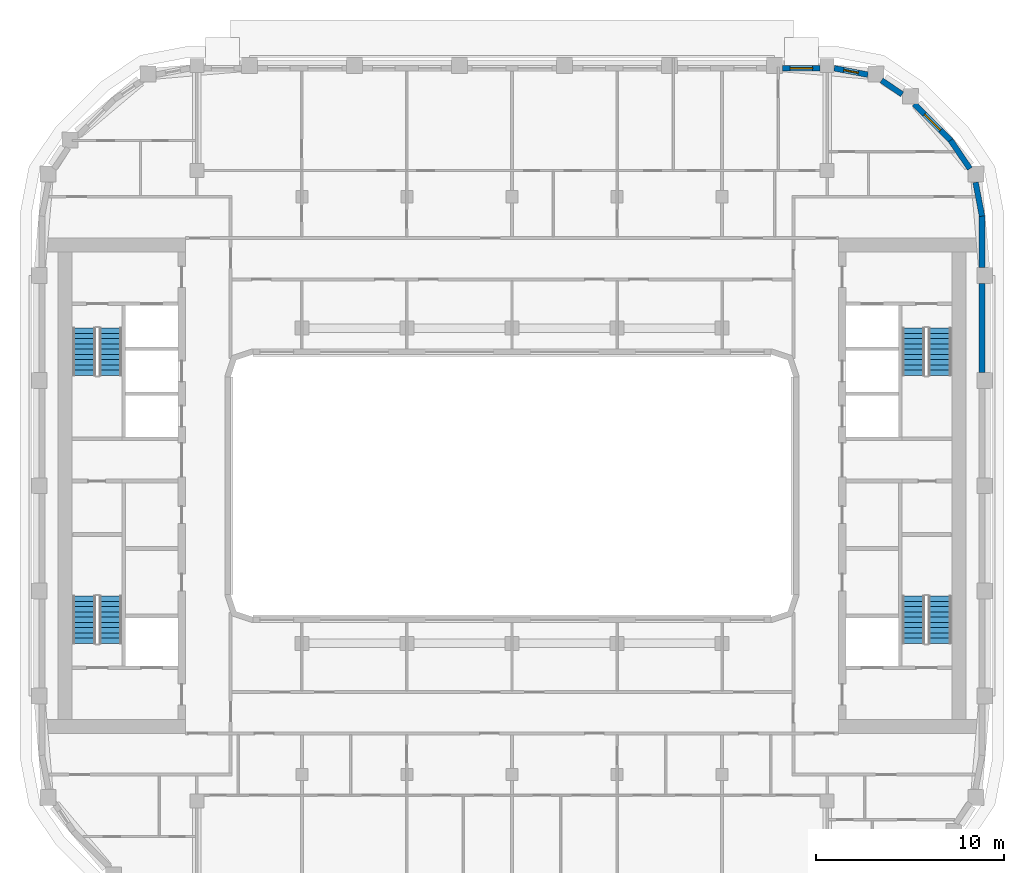
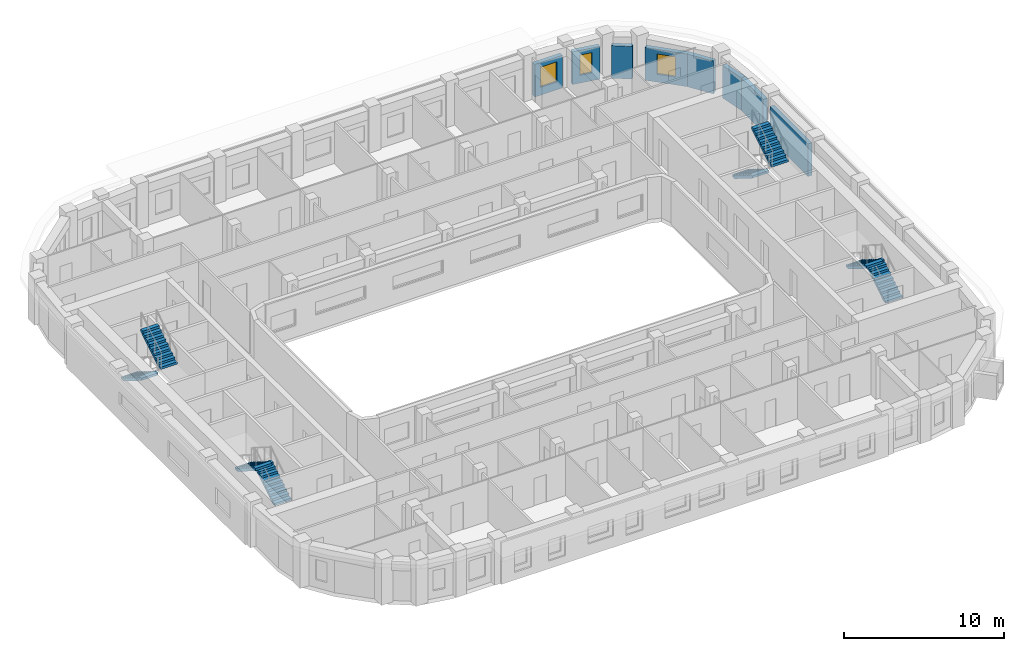
# One storey, part 9 of 21: 8 stair flights, 8 walls, 3 windows, 3 openings, 4 elements without a shape of their own.
"""IFC4 building model written with IfcOpenShell, lengths in metres."""

from ifc_helpers import new_model, si_unit, direction, frame, frame_2d, origin, place, context, subcontext, project, spatial, polyline, rectangle, outline, extrude, material, layer, layer_set, type_object, element, fill, aggregate, save


model = new_model("IFC4")

# Units and contexts
model_context = context("Model", 3, precision=1e-05, world=origin(), true_north=direction((0.0, 1.0)))
body_context = subcontext(model_context, "Body", "Model", "MODEL_VIEW")
ifc_project = project(units=[si_unit("LENGTHUNIT", "METRE"), si_unit("AREAUNIT", "SQUARE_METRE"), si_unit("VOLUMEUNIT", "CUBIC_METRE"), si_unit("PLANEANGLEUNIT", "RADIAN"), si_unit("MASSUNIT", "GRAM", prefix="KILO")], contexts=[model_context])

# Site, building, storey
site_placement = place(None, origin())
site = spatial("IfcSite", under=ifc_project, at=site_placement, CompositionType="ELEMENT")
building_placement = place(site_placement, origin())
building = spatial("IfcBuilding", under=site, at=building_placement, Name="Kiln Ring Residences", CompositionType="ELEMENT")
storey_placement = place(building_placement, frame((0.0, 0.0, 220.39990234375)))
storey = spatial("IfcBuildingStorey", under=building, at=storey_placement, Name="L57", CompositionType="ELEMENT", Elevation=220.39990234375)

# Walls
ifc_material_1 = material(Name="Brick masonry, dark clay brick", Category="masonry")
ifc_layer = layer(ifc_material_1, 0.300048828125)
ifc_layer_set = layer_set([ifc_layer], Name="EW-300 BRICK WALL")
wall_type = type_object("IfcWallType", Name="EW-300 BRICK WALL", PredefinedType="SOLIDWALL", material=ifc_layer_set)
wall_1_placement = place(storey_placement, frame((25.050048828125, 6.02490234375, 0.0), z_axis=(0.0, 0.0, 1.0), x_axis=(0.0, 1.0, 0.0)))
element("IfcWall", 1, at=wall_1_placement, inside=storey, type_object=wall_type, Name="Facade wall L57 20", PredefinedType="SOLIDWALL", context=body_context, shape_type="SweptSolid", body=[
    extrude(rectangle(XDim=4.75, YDim=0.300048828125, at=frame_2d((2.375, 0.0))), origin(), (0.0, 0.0, 1.0), 2.5),
])
wall_2_placement = place(storey_placement, frame((25.050048828125, 11.625, 0.0), z_axis=(0.0, 0.0, 1.0), x_axis=(0.0, 1.0, 0.0)))
element("IfcWall", 2, at=wall_2_placement, inside=storey, type_object=wall_type, Name="Facade wall L57 21", PredefinedType="SOLIDWALL", context=body_context, shape_type="SweptSolid", body=[
    extrude(rectangle(XDim=2.77490234375, YDim=0.300048828125, at=frame_2d((1.387451171875, 0.0))), origin(), (0.0, 0.0, 1.0), 2.5),
])
for number, where, z_axis, x_axis, name in (
    (3, (25.052734375, 14.371826171875, 0.0), (0.0, 0.0, 1.0), (-0.187442908742, 0.982275499014, 0.0), "Facade wall L57 22"),
    (4, (24.408203125, 16.898193359375, 0.0), (0.0, 0.0, 1.0), (-0.562062033417, 0.827095079535, 0.0), "Facade wall L57 23"),
):
    element("IfcWall", number, at=place(storey_placement, frame(where, z_axis=z_axis, x_axis=x_axis)), inside=storey, type_object=wall_type, Name=name, PredefinedType="SOLIDWALL", context=body_context, shape_type="SweptSolid", body=[
        extrude(rectangle(XDim=1.831298828125, YDim=0.300048828125, at=frame_2d((0.91552734375, 0.0))), origin(), (0.0, 0.0, 1.0), 2.5),
    ])

# Wall, opening, window
wall_3_placement = place(storey_placement, frame((23.39697265625, 18.390869140625, 0.0), z_axis=(0.0, 0.0, 1.0), x_axis=(-0.707106781187, 0.707106781187, 0.0)))
wall_3 = element("IfcWall", 5, at=wall_3_placement, inside=storey, type_object=wall_type, Name="Facade wall L57 24", PredefinedType="SOLIDWALL", context=body_context, shape_type="SweptSolid", body=[
    extrude(rectangle(XDim=2.775146484375, YDim=0.300048828125, at=frame_2d((1.3876953125, 0.0))), origin(), (0.0, 0.0, 1.0), 2.5),
])
opening_1_placement = place(wall_3_placement, frame((0.78759765625, 0.0, 0.60009765625)))
opening_1 = element("IfcOpeningElement", 6, at=opening_1_placement, cuts=wall_3, Name="Opening W1", PredefinedType="OPENING", context=body_context, shape_type="SweptSolid", body=[
    extrude(rectangle(XDim=1.199951171875, YDim=1.550048828125, at=frame_2d((0.60009765625, 0.77490234375))), frame((0.0, 0.159912109375, 0.0), z_axis=(0.0, -1.0, 0.0), x_axis=(1.0, 0.0, 0.0)), (0.0, 0.0, 1.0), 0.320068359375),
])
ifc_material_2 = material(Name="Aluminium frame with double glazing", Category="aluminium")
window_type_1 = type_object("IfcWindowType", Name="WINDOW 1200 x 1550", PartitioningType="SINGLE_PANEL", PredefinedType="WINDOW", material=ifc_material_2)
window_1_placement = place(opening_1_placement, origin())
window_1 = element("IfcWindow", 7, at=window_1_placement, inside=storey, type_object=window_type_1, Name="Window L57 17", OverallHeight=1.550048828125, OverallWidth=1.199951171875, PartitioningType="SINGLE_PANEL", PredefinedType="WINDOW", context=body_context, shape_type="SweptSolid", body=[
    extrude(rectangle(XDim=1.199951171875, YDim=1.550048828125, at=frame_2d((0.60009765625, 0.77490234375))), frame((0.0, 0.030029296875, 0.0), z_axis=(0.0, -1.0, 0.0), x_axis=(1.0, 0.0, 0.0)), (0.0, 0.0, 1.0), 0.06005859375),
])
fill(opening_1, window_1)

# Wall
wall_4_placement = place(storey_placement, frame((20.7958984375, 20.862060546875, 0.0), z_axis=(0.0, 0.0, 1.0), x_axis=(-0.827035970432, 0.562149004813, 0.0)))
element("IfcWall", 8, at=wall_4_placement, inside=storey, type_object=wall_type, Name="Facade wall L57 25", PredefinedType="SOLIDWALL", context=body_context, shape_type="SweptSolid", body=[
    extrude(rectangle(XDim=1.3271484375, YDim=0.300048828125, at=frame_2d((0.66357421875, 0.0))), origin(), (0.0, 0.0, 1.0), 2.5),
])

# Wall, opening, window
wall_5_placement = place(storey_placement, frame((18.970703125, 21.90966796875, 0.0), z_axis=(0.0, 0.0, 1.0), x_axis=(-0.982300037503, 0.187314271538, 0.0)))
wall_5 = element("IfcWall", 9, at=wall_5_placement, inside=storey, type_object=wall_type, Name="Facade wall L57 26", PredefinedType="SOLIDWALL", context=body_context, shape_type="SweptSolid", body=[
    extrude(rectangle(XDim=1.831298828125, YDim=0.300048828125, at=frame_2d((0.91552734375, 0.0))), origin(), (0.0, 0.0, 1.0), 2.5),
])
opening_2_placement = place(wall_5_placement, frame((0.515625, 0.0, 0.60009765625)))
opening_2 = element("IfcOpeningElement", 10, at=opening_2_placement, cuts=wall_5, Name="Opening W5", PredefinedType="OPENING", context=body_context, shape_type="SweptSolid", body=[
    extrude(rectangle(XDim=0.800048828125, YDim=1.550048828125, at=frame_2d((0.39990234375, 0.77490234375))), frame((0.0, 0.159912109375, 0.0), z_axis=(0.0, -1.0, 0.0), x_axis=(1.0, 0.0, 0.0)), (0.0, 0.0, 1.0), 0.320068359375),
])
ifc_material_3 = material(Name="Aluminium frame with double glazing", Category="aluminium")
window_type_2 = type_object("IfcWindowType", Name="WINDOW 800 x 1550", PartitioningType="SINGLE_PANEL", PredefinedType="WINDOW", material=ifc_material_3)
window_2_placement = place(opening_2_placement, origin())
window_2 = element("IfcWindow", 11, at=window_2_placement, inside=storey, type_object=window_type_2, Name="Window L57 18", OverallHeight=1.550048828125, OverallWidth=0.800048828125, PartitioningType="SINGLE_PANEL", PredefinedType="WINDOW", context=body_context, shape_type="SweptSolid", body=[
    extrude(rectangle(XDim=0.800048828125, YDim=1.550048828125, at=frame_2d((0.39990234375, 0.77490234375))), frame((0.0, 0.030029296875, 0.0), z_axis=(0.0, -1.0, 0.0), x_axis=(1.0, 0.0, 0.0)), (0.0, 0.0, 1.0), 0.06005859375),
])
fill(opening_2, window_2)

wall_6_placement = place(storey_placement, frame((16.425048828125, 22.25, 0.0), z_axis=(0.0, 0.0, 1.0), x_axis=(-1.0, 0.0, 0.0)))
wall_6 = element("IfcWall", 12, at=wall_6_placement, inside=storey, type_object=wall_type, Name="Facade wall L57 27", PredefinedType="SOLIDWALL", context=body_context, shape_type="SweptSolid", body=[
    extrude(rectangle(XDim=2.0, YDim=0.300048828125, at=frame_2d((1.0, 0.0))), origin(), (0.0, 0.0, 1.0), 2.5),
])
opening_3_placement = place(wall_6_placement, frame((0.39990234375, 0.0, 0.60009765625)))
opening_3 = element("IfcOpeningElement", 13, at=opening_3_placement, cuts=wall_6, Name="Opening W1", PredefinedType="OPENING", context=body_context, shape_type="SweptSolid", body=[
    extrude(rectangle(XDim=1.199951171875, YDim=1.550048828125, at=frame_2d((0.60009765625, 0.77490234375))), frame((0.0, 0.159912109375, 0.0), z_axis=(0.0, -1.0, 0.0), x_axis=(1.0, 0.0, 0.0)), (0.0, 0.0, 1.0), 0.320068359375),
])
window_3_placement = place(opening_3_placement, origin())
window_3 = element("IfcWindow", 14, at=window_3_placement, inside=storey, type_object=window_type_1, Name="Window L57 19", OverallHeight=1.550048828125, OverallWidth=1.199951171875, PartitioningType="SINGLE_PANEL", PredefinedType="WINDOW", context=body_context, shape_type="SweptSolid", body=[
    extrude(rectangle(XDim=1.199951171875, YDim=1.550048828125, at=frame_2d((0.60009765625, 0.77490234375))), frame((0.0, 0.030029296875, 0.0), z_axis=(0.0, -1.0, 0.0), x_axis=(1.0, 0.0, 0.0)), (0.0, 0.0, 1.0), 0.06005859375),
])
fill(opening_3, window_3)

# Stair, stair flights
ifc_material_4 = material(Name="Concrete C40/50", Category="concrete")
stair_type = type_object("IfcStairType", Name="CORE-STAIR", PredefinedType="HALF_TURN_STAIR", material=ifc_material_4)
placement = place(storey_placement, origin())
stair_1 = element("IfcStair", 15, at=placement, inside=storey, type_object=stair_type, Name="L57 stair W-STN", PredefinedType="HALF_TURN_STAIR")
ifc_material_5 = material(Name="Concrete C40/50", Category="concrete")
stair_flight_type = type_object("IfcStairFlightType", Name="CORE-STAIR-FLIGHT", PredefinedType="STRAIGHT", material=ifc_material_5)
stair_flight_1_placement = place(storey_placement, frame((-22.800048828125, 8.39990234375, 0.0), z_axis=(0.0, 0.0, 1.0), x_axis=(0.0, -1.0, 0.0)))
stair_flight_1 = element("IfcStairFlight", 16, at=stair_flight_1_placement, type_object=stair_flight_type, Name="W-STN flight 1", NumberOfRisers=10, NumberOfTreads=9, PredefinedType="STRAIGHT", RiserHeight=0.175, TreadLength=0.28, context=body_context, shape_type="SweptSolid", body=[
    extrude(outline(polyline([(0.0, 0.0), (0.0, 0.175048828125), (0.280029296875, 0.175048828125), (0.280029296875, 0.35009765625), (0.56005859375, 0.35009765625), (0.56005859375, 0.52490234375), (0.840087890625, 0.52490234375), (0.840087890625, 0.699951171875), (1.1201171875, 0.699951171875), (1.1201171875, 0.875), (1.39990234375, 0.875), (1.39990234375, 1.050048828125), (1.679931640625, 1.050048828125), (1.679931640625, 1.22509765625), (1.9599609375, 1.22509765625), (1.9599609375, 1.39990234375), (2.239990234375, 1.39990234375), (2.239990234375, 1.574951171875), (2.52001953125, 1.574951171875), (2.52001953125, 1.75), (2.52001953125, 1.398193359375), (0.28271484375, 0.0), (0.0, 0.0)])), frame((0.0, 0.60009765625, 0.0), z_axis=(0.0, -1.0, 0.0), x_axis=(1.0, 0.0, 0.0)), (0.0, 0.0, 1.0), 1.199951171875),
])
stair_flight_2_placement = place(storey_placement, frame((-21.39990234375, 5.8798828125, 1.75), z_axis=(0.0, 0.0, 1.0), x_axis=(0.0, 1.0, 0.0)))
stair_flight_2 = element("IfcStairFlight", 17, at=stair_flight_2_placement, type_object=stair_flight_type, Name="W-STN flight 2", NumberOfRisers=10, NumberOfTreads=9, PredefinedType="STRAIGHT", RiserHeight=0.175, TreadLength=0.28, context=body_context, shape_type="SweptSolid", body=[
    extrude(outline(polyline([(0.0, 0.0), (0.0, 0.175048828125), (0.280029296875, 0.175048828125), (0.280029296875, 0.35009765625), (0.56005859375, 0.35009765625), (0.56005859375, 0.52490234375), (0.840087890625, 0.52490234375), (0.840087890625, 0.699951171875), (1.1201171875, 0.699951171875), (1.1201171875, 0.875), (1.39990234375, 0.875), (1.39990234375, 1.050048828125), (1.679931640625, 1.050048828125), (1.679931640625, 1.22509765625), (1.9599609375, 1.22509765625), (1.9599609375, 1.39990234375), (2.239990234375, 1.39990234375), (2.239990234375, 1.574951171875), (2.52001953125, 1.574951171875), (2.52001953125, 1.75), (2.52001953125, 1.398193359375), (0.28271484375, 0.0), (0.0, 0.0)])), frame((0.0, 0.60009765625, 0.0), z_axis=(0.0, -1.0, 0.0), x_axis=(1.0, 0.0, 0.0)), (0.0, 0.0, 1.0), 1.199951171875),
])
aggregate(stair_1, [stair_flight_1, stair_flight_2])

stair_2 = element("IfcStair", 18, at=placement, inside=storey, type_object=stair_type, Name="L57 stair W-STS", PredefinedType="HALF_TURN_STAIR")
stair_flight_3_placement = place(storey_placement, frame((-21.39990234375, -8.39990234375, 0.0), z_axis=(0.0, 0.0, 1.0), x_axis=(0.0, 1.0, 0.0)))
stair_flight_3 = element("IfcStairFlight", 19, at=stair_flight_3_placement, type_object=stair_flight_type, Name="W-STS flight 1", NumberOfRisers=10, NumberOfTreads=9, PredefinedType="STRAIGHT", RiserHeight=0.175, TreadLength=0.28, context=body_context, shape_type="SweptSolid", body=[
    extrude(outline(polyline([(0.0, 0.0), (0.0, 0.175048828125), (0.280029296875, 0.175048828125), (0.280029296875, 0.35009765625), (0.56005859375, 0.35009765625), (0.56005859375, 0.52490234375), (0.840087890625, 0.52490234375), (0.840087890625, 0.699951171875), (1.1201171875, 0.699951171875), (1.1201171875, 0.875), (1.39990234375, 0.875), (1.39990234375, 1.050048828125), (1.679931640625, 1.050048828125), (1.679931640625, 1.22509765625), (1.9599609375, 1.22509765625), (1.9599609375, 1.39990234375), (2.239990234375, 1.39990234375), (2.239990234375, 1.574951171875), (2.52001953125, 1.574951171875), (2.52001953125, 1.75), (2.52001953125, 1.398193359375), (0.28271484375, 0.0), (0.0, 0.0)])), frame((0.0, 0.60009765625, 0.0), z_axis=(0.0, -1.0, 0.0), x_axis=(1.0, 0.0, 0.0)), (0.0, 0.0, 1.0), 1.199951171875),
])
stair_flight_4_placement = place(storey_placement, frame((-22.800048828125, -5.8798828125, 1.75), z_axis=(0.0, 0.0, 1.0), x_axis=(0.0, -1.0, 0.0)))
stair_flight_4 = element("IfcStairFlight", 20, at=stair_flight_4_placement, type_object=stair_flight_type, Name="W-STS flight 2", NumberOfRisers=10, NumberOfTreads=9, PredefinedType="STRAIGHT", RiserHeight=0.175, TreadLength=0.28, context=body_context, shape_type="SweptSolid", body=[
    extrude(outline(polyline([(0.0, 0.0), (0.0, 0.175048828125), (0.280029296875, 0.175048828125), (0.280029296875, 0.35009765625), (0.56005859375, 0.35009765625), (0.56005859375, 0.52490234375), (0.840087890625, 0.52490234375), (0.840087890625, 0.699951171875), (1.1201171875, 0.699951171875), (1.1201171875, 0.875), (1.39990234375, 0.875), (1.39990234375, 1.050048828125), (1.679931640625, 1.050048828125), (1.679931640625, 1.22509765625), (1.9599609375, 1.22509765625), (1.9599609375, 1.39990234375), (2.239990234375, 1.39990234375), (2.239990234375, 1.574951171875), (2.52001953125, 1.574951171875), (2.52001953125, 1.75), (2.52001953125, 1.398193359375), (0.28271484375, 0.0), (0.0, 0.0)])), frame((0.0, 0.60009765625, 0.0), z_axis=(0.0, -1.0, 0.0), x_axis=(1.0, 0.0, 0.0)), (0.0, 0.0, 1.0), 1.199951171875),
])
aggregate(stair_2, [stair_flight_3, stair_flight_4])

stair_3 = element("IfcStair", 21, at=placement, inside=storey, type_object=stair_type, Name="L57 stair E-STN", PredefinedType="HALF_TURN_STAIR")
stair_flight_5_placement = place(storey_placement, frame((21.39990234375, 8.39990234375, 0.0), z_axis=(0.0, 0.0, 1.0), x_axis=(0.0, -1.0, 0.0)))
stair_flight_5 = element("IfcStairFlight", 22, at=stair_flight_5_placement, type_object=stair_flight_type, Name="E-STN flight 1", NumberOfRisers=10, NumberOfTreads=9, PredefinedType="STRAIGHT", RiserHeight=0.175, TreadLength=0.28, context=body_context, shape_type="SweptSolid", body=[
    extrude(outline(polyline([(0.0, 0.0), (0.0, 0.175048828125), (0.280029296875, 0.175048828125), (0.280029296875, 0.35009765625), (0.56005859375, 0.35009765625), (0.56005859375, 0.52490234375), (0.840087890625, 0.52490234375), (0.840087890625, 0.699951171875), (1.1201171875, 0.699951171875), (1.1201171875, 0.875), (1.39990234375, 0.875), (1.39990234375, 1.050048828125), (1.679931640625, 1.050048828125), (1.679931640625, 1.22509765625), (1.9599609375, 1.22509765625), (1.9599609375, 1.39990234375), (2.239990234375, 1.39990234375), (2.239990234375, 1.574951171875), (2.52001953125, 1.574951171875), (2.52001953125, 1.75), (2.52001953125, 1.398193359375), (0.28271484375, 0.0), (0.0, 0.0)])), frame((0.0, 0.60009765625, 0.0), z_axis=(0.0, -1.0, 0.0), x_axis=(1.0, 0.0, 0.0)), (0.0, 0.0, 1.0), 1.199951171875),
])
stair_flight_6_placement = place(storey_placement, frame((22.800048828125, 5.8798828125, 1.75), z_axis=(0.0, 0.0, 1.0), x_axis=(0.0, 1.0, 0.0)))
stair_flight_6 = element("IfcStairFlight", 23, at=stair_flight_6_placement, type_object=stair_flight_type, Name="E-STN flight 2", NumberOfRisers=10, NumberOfTreads=9, PredefinedType="STRAIGHT", RiserHeight=0.175, TreadLength=0.28, context=body_context, shape_type="SweptSolid", body=[
    extrude(outline(polyline([(0.0, 0.0), (0.0, 0.175048828125), (0.280029296875, 0.175048828125), (0.280029296875, 0.35009765625), (0.56005859375, 0.35009765625), (0.56005859375, 0.52490234375), (0.840087890625, 0.52490234375), (0.840087890625, 0.699951171875), (1.1201171875, 0.699951171875), (1.1201171875, 0.875), (1.39990234375, 0.875), (1.39990234375, 1.050048828125), (1.679931640625, 1.050048828125), (1.679931640625, 1.22509765625), (1.9599609375, 1.22509765625), (1.9599609375, 1.39990234375), (2.239990234375, 1.39990234375), (2.239990234375, 1.574951171875), (2.52001953125, 1.574951171875), (2.52001953125, 1.75), (2.52001953125, 1.398193359375), (0.28271484375, 0.0), (0.0, 0.0)])), frame((0.0, 0.60009765625, 0.0), z_axis=(0.0, -1.0, 0.0), x_axis=(1.0, 0.0, 0.0)), (0.0, 0.0, 1.0), 1.199951171875),
])
aggregate(stair_3, [stair_flight_5, stair_flight_6])

stair_4 = element("IfcStair", 24, at=placement, inside=storey, type_object=stair_type, Name="L57 stair E-STS", PredefinedType="HALF_TURN_STAIR")
stair_flight_7_placement = place(storey_placement, frame((22.800048828125, -8.39990234375, 0.0), z_axis=(0.0, 0.0, 1.0), x_axis=(0.0, 1.0, 0.0)))
stair_flight_7 = element("IfcStairFlight", 25, at=stair_flight_7_placement, type_object=stair_flight_type, Name="E-STS flight 1", NumberOfRisers=10, NumberOfTreads=9, PredefinedType="STRAIGHT", RiserHeight=0.175, TreadLength=0.28, context=body_context, shape_type="SweptSolid", body=[
    extrude(outline(polyline([(0.0, 0.0), (0.0, 0.175048828125), (0.280029296875, 0.175048828125), (0.280029296875, 0.35009765625), (0.56005859375, 0.35009765625), (0.56005859375, 0.52490234375), (0.840087890625, 0.52490234375), (0.840087890625, 0.699951171875), (1.1201171875, 0.699951171875), (1.1201171875, 0.875), (1.39990234375, 0.875), (1.39990234375, 1.050048828125), (1.679931640625, 1.050048828125), (1.679931640625, 1.22509765625), (1.9599609375, 1.22509765625), (1.9599609375, 1.39990234375), (2.239990234375, 1.39990234375), (2.239990234375, 1.574951171875), (2.52001953125, 1.574951171875), (2.52001953125, 1.75), (2.52001953125, 1.398193359375), (0.28271484375, 0.0), (0.0, 0.0)])), frame((0.0, 0.60009765625, 0.0), z_axis=(0.0, -1.0, 0.0), x_axis=(1.0, 0.0, 0.0)), (0.0, 0.0, 1.0), 1.199951171875),
])
stair_flight_8_placement = place(storey_placement, frame((21.39990234375, -5.8798828125, 1.75), z_axis=(0.0, 0.0, 1.0), x_axis=(0.0, -1.0, 0.0)))
stair_flight_8 = element("IfcStairFlight", 26, at=stair_flight_8_placement, type_object=stair_flight_type, Name="E-STS flight 2", NumberOfRisers=10, NumberOfTreads=9, PredefinedType="STRAIGHT", RiserHeight=0.175, TreadLength=0.28, context=body_context, shape_type="SweptSolid", body=[
    extrude(outline(polyline([(0.0, 0.0), (0.0, 0.175048828125), (0.280029296875, 0.175048828125), (0.280029296875, 0.35009765625), (0.56005859375, 0.35009765625), (0.56005859375, 0.52490234375), (0.840087890625, 0.52490234375), (0.840087890625, 0.699951171875), (1.1201171875, 0.699951171875), (1.1201171875, 0.875), (1.39990234375, 0.875), (1.39990234375, 1.050048828125), (1.679931640625, 1.050048828125), (1.679931640625, 1.22509765625), (1.9599609375, 1.22509765625), (1.9599609375, 1.39990234375), (2.239990234375, 1.39990234375), (2.239990234375, 1.574951171875), (2.52001953125, 1.574951171875), (2.52001953125, 1.75), (2.52001953125, 1.398193359375), (0.28271484375, 0.0), (0.0, 0.0)])), frame((0.0, 0.60009765625, 0.0), z_axis=(0.0, -1.0, 0.0), x_axis=(1.0, 0.0, 0.0)), (0.0, 0.0, 1.0), 1.199951171875),
])
aggregate(stair_4, [stair_flight_7, stair_flight_8])

save(model, "model.ifc")
